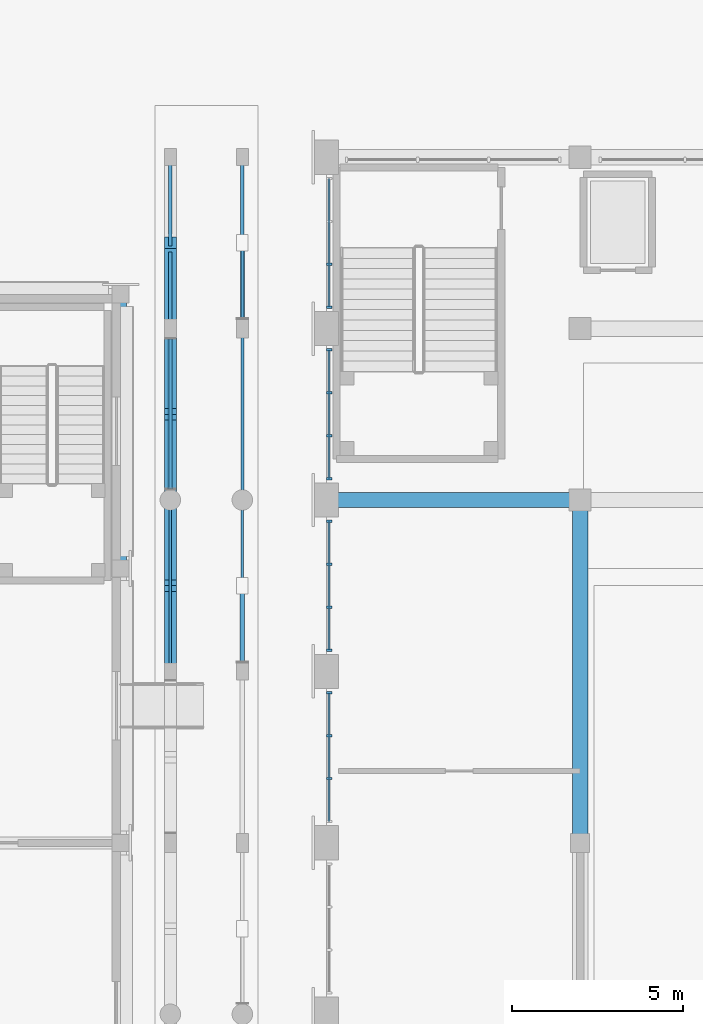
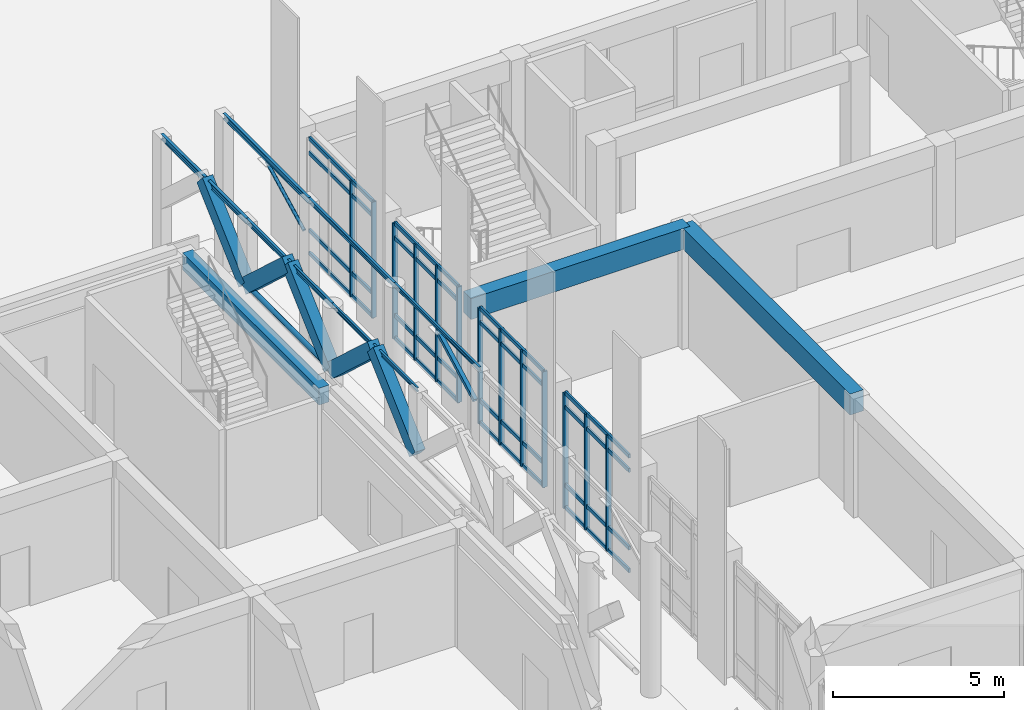
# One storey, part 42 of 135: 32 members, 14 beams, 4 elements without a shape of their own.
"""IFC4 building model written with IfcOpenShell, lengths in metres."""

from ifc_helpers import new_model, si_unit, direction, frame, origin, origin_2d, place, context, subcontext, project, spatial, rectangle, hollow_rectangle, hollow_circle, i_section, extrude, material, material_profile, profile_set, type_object, element, aggregate, save


model = new_model("IFC4")

# Units and contexts
model_context = context("Model", 3, precision=1e-05, world=origin(), true_north=direction((0.0, 1.0)))
body_context = subcontext(model_context, "Body", "Model", "MODEL_VIEW")
ifc_project = project(units=[si_unit("LENGTHUNIT", "METRE"), si_unit("AREAUNIT", "SQUARE_METRE"), si_unit("VOLUMEUNIT", "CUBIC_METRE"), si_unit("PLANEANGLEUNIT", "RADIAN"), si_unit("MASSUNIT", "GRAM", prefix="KILO")], contexts=[model_context])

# Site, building, storey
site_placement = place(None, origin())
site = spatial("IfcSite", under=ifc_project, at=site_placement, CompositionType="ELEMENT")
building_placement = place(site_placement, origin())
building = spatial("IfcBuilding", under=site, at=building_placement, Name="Kiranvali Square Residences", CompositionType="ELEMENT")
storey_placement = place(building_placement, origin())
storey = spatial("IfcBuildingStorey", under=building, at=storey_placement, Name="L00", CompositionType="ELEMENT", Elevation=0.0)

# Beams
ifc_material_1 = material(Name="Concrete M40 (40 MPa)", Category="concrete")
ifc_material_profile_1 = material_profile(ifc_material_1, rectangle(XDim=0.35009765625, YDim=0.5, at=origin_2d()), Name="RC 350x500")
ifc_profile_set_1 = profile_set([ifc_material_profile_1], Name="Concrete M40 (40 MPa)")
beam_type_1 = type_object("IfcBeamType", Name="AR-M40-350x500", PredefinedType="USERDEFINED", material=ifc_profile_set_1)
for number, where, z_axis, x_axis, name in (
    (1, (67.449951171875, 69.0400390625, 3.199951171875), (0.0, 0.736401324674, 0.676544964521), (-1.0, 0.0, 0.0), "Classical pointed Ottoman arch rib ARCH-ARC-GDN-W-06.1"),
    (2, (67.449951171875, 71.5, 5.4599609375), (0.0, 0.736401324674, -0.676544964521), (-1.0, 0.0, 0.0), "Classical pointed Ottoman arch rib ARCH-ARC-GDN-W-06.2"),
    (3, (67.449951171875, 74.0400390625, 3.199951171875), (0.0, 0.736401324674, 0.676544964521), (-1.0, 0.0, 0.0), "Classical pointed Ottoman arch rib ARCH-ARC-GDN-W-07.1"),
    (4, (67.449951171875, 76.5, 5.4599609375), (0.0, 0.736401324674, -0.676544964521), (-1.0, 0.0, 0.0), "Classical pointed Ottoman arch rib ARCH-ARC-GDN-W-07.2"),
    (5, (67.449951171875, 79.0400390625, 3.199951171875), (0.0, 0.736401324674, 0.676544964521), (-1.0, 0.0, 0.0), "Classical pointed Ottoman arch rib ARCH-ARC-GDN-W-08.1"),
):
    element("IfcBeam", number, at=place(storey_placement, frame(where, z_axis=z_axis, x_axis=x_axis)), inside=storey, type_object=beam_type_1, Name=name, ObjectType="ARCH RIB", PredefinedType="USERDEFINED", context=body_context, shape_type="SweptSolid", body=[
        extrude(rectangle(XDim=0.35009765625, YDim=0.5, at=origin_2d()), origin(), (0.0, 0.0, 1.0), 3.340576171875),
    ])
ifc_material_profile_2 = material_profile(ifc_material_1, rectangle(XDim=0.35009765625, YDim=0.60009765625, at=origin_2d()), Name="RC 350x600")
ifc_profile_set_2 = profile_set([ifc_material_profile_2], Name="Concrete M40 (40 MPa)")
beam_type_2 = type_object("IfcBeamType", Name="BM-M40-350x600", PredefinedType="BEAM", material=ifc_profile_set_2)
beam_1_placement = place(storey_placement, frame((66.0, 72.0, 3.97998046875), z_axis=(0.0, 1.0, 0.0), x_axis=(-1.0, 0.0, 0.0)))
element("IfcBeam", 6, at=beam_1_placement, inside=storey, type_object=beam_type_2, Name="L00 beam BM-NR-L00-Y4-2", PredefinedType="BEAM", context=body_context, shape_type="SweptSolid", body=[
    extrude(rectangle(XDim=0.35009765625, YDim=0.60009765625, at=origin_2d()), origin(), (0.0, 0.0, 1.0), 8.0),
])
ifc_material_2 = material(Name="Concrete M45 (45 MPa)", Category="concrete")
ifc_material_profile_3 = material_profile(ifc_material_2, rectangle(XDim=0.449951171875, YDim=0.75, at=origin_2d()), Name="RC 450x750")
ifc_profile_set_3 = profile_set([ifc_material_profile_3], Name="Concrete M45 (45 MPa)")
beam_type_3 = type_object("IfcBeamType", Name="BM-M45-450x750", PredefinedType="BEAM", material=ifc_profile_set_3)
beam_2_placement = place(storey_placement, frame((72.0, 74.0, 3.875), z_axis=(1.0, 0.0, 0.0), x_axis=(0.0, 1.0, 0.0)))
element("IfcBeam", 7, at=beam_2_placement, inside=storey, type_object=beam_type_3, Name="L00 beam BM-CH-GAL-740-1", PredefinedType="BEAM", context=body_context, shape_type="SweptSolid", body=[
    extrude(rectangle(XDim=0.449951171875, YDim=0.75, at=origin_2d()), origin(), (0.0, 0.0, 1.0), 7.39990234375),
])
beam_3_placement = place(storey_placement, frame((79.39990234375, 64.0, 3.875), z_axis=(0.0, 1.0, 0.0), x_axis=(-1.0, 0.0, 0.0)))
element("IfcBeam", 8, at=beam_3_placement, inside=storey, type_object=beam_type_3, Name="L00 beam BM-CH-WLK-2", PredefinedType="BEAM", context=body_context, shape_type="SweptSolid", body=[
    extrude(rectangle(XDim=0.449951171875, YDim=0.75, at=origin_2d()), origin(), (0.0, 0.0, 1.0), 10.0),
])

# Curtain wall, members
ifc_material_3 = material(Name="Anodised bronze aluminium framing", Category="aluminium")
curtain_wall_type = type_object("IfcCurtainWallType", Name="CW-CH-GLZ", PredefinedType="USERDEFINED", material=ifc_material_3)
curtain_wall_1_placement = place(storey_placement, origin())
curtain_wall_1 = element("IfcCurtainWall", 9, at=curtain_wall_1_placement, inside=storey, type_object=curtain_wall_type, Name="Community Hall L00 W glazed arcade bay 5", ObjectType="CURTAIN WALL", PredefinedType="USERDEFINED")
ifc_material_profile_4 = material_profile(ifc_material_3, rectangle(XDim=0.06494140625, YDim=0.159912109375, at=origin_2d()), Name="ALU 65x160")
ifc_profile_set_4 = profile_set([ifc_material_profile_4], Name="Anodised bronze aluminium framing")
member_type_1 = type_object("IfcMemberType", Name="CW-MUL-160", PredefinedType="MULLION", material=ifc_profile_set_4)
member_1_placement = place(storey_placement, frame((72.080078125, 65.873291015625, 0.02001953125), z_axis=(0.0, 0.0, 1.0), x_axis=(0.0, 1.0, 0.0)))
member_1 = element("IfcMember", 10, at=member_1_placement, type_object=member_type_1, Name="CW-CH-L00-W5 vertical mullion 2", PredefinedType="MULLION", context=body_context, shape_type="SweptSolid", body=[
    extrude(rectangle(XDim=0.06494140625, YDim=0.159912109375, at=origin_2d()), origin(), (0.0, 0.0, 1.0), 4.139892578125),
])
member_2_placement = place(storey_placement, frame((72.080078125, 67.126708984375, 0.02001953125), z_axis=(0.0, 0.0, 1.0), x_axis=(0.0, 1.0, 0.0)))
member_2 = element("IfcMember", 11, at=member_2_placement, type_object=member_type_1, Name="CW-CH-L00-W5 vertical mullion 3", PredefinedType="MULLION", context=body_context, shape_type="SweptSolid", body=[
    extrude(rectangle(XDim=0.06494140625, YDim=0.159912109375, at=origin_2d()), origin(), (0.0, 0.0, 1.0), 4.139892578125),
])
member_3_placement = place(storey_placement, frame((72.080078125, 68.3798828125, 0.02001953125), z_axis=(0.0, 0.0, 1.0), x_axis=(0.0, 1.0, 0.0)))
member_3 = element("IfcMember", 12, at=member_3_placement, type_object=member_type_1, Name="CW-CH-L00-W5 vertical mullion 4", PredefinedType="MULLION", context=body_context, shape_type="SweptSolid", body=[
    extrude(rectangle(XDim=0.06494140625, YDim=0.159912109375, at=origin_2d()), origin(), (0.0, 0.0, 1.0), 4.139892578125),
])

curtain_wall_2_placement = place(storey_placement, origin())
curtain_wall_2 = element("IfcCurtainWall", 13, at=curtain_wall_2_placement, inside=storey, type_object=curtain_wall_type, Name="Community Hall L00 W glazed arcade bay 6", ObjectType="CURTAIN WALL", PredefinedType="USERDEFINED")
member_4_placement = place(storey_placement, frame((72.080078125, 69.6201171875, 0.02001953125), z_axis=(0.0, 0.0, 1.0), x_axis=(0.0, 1.0, 0.0)))
member_4 = element("IfcMember", 14, at=member_4_placement, type_object=member_type_1, Name="CW-CH-L00-W6 vertical mullion 1", PredefinedType="MULLION", context=body_context, shape_type="SweptSolid", body=[
    extrude(rectangle(XDim=0.06494140625, YDim=0.159912109375, at=origin_2d()), origin(), (0.0, 0.0, 1.0), 4.139892578125),
])
member_5_placement = place(storey_placement, frame((72.080078125, 70.873291015625, 0.02001953125), z_axis=(0.0, 0.0, 1.0), x_axis=(0.0, 1.0, 0.0)))
member_5 = element("IfcMember", 15, at=member_5_placement, type_object=member_type_1, Name="CW-CH-L00-W6 vertical mullion 2", PredefinedType="MULLION", context=body_context, shape_type="SweptSolid", body=[
    extrude(rectangle(XDim=0.06494140625, YDim=0.159912109375, at=origin_2d()), origin(), (0.0, 0.0, 1.0), 4.139892578125),
])
member_6_placement = place(storey_placement, frame((72.080078125, 72.126708984375, 0.02001953125), z_axis=(0.0, 0.0, 1.0), x_axis=(0.0, 1.0, 0.0)))
member_6 = element("IfcMember", 16, at=member_6_placement, type_object=member_type_1, Name="CW-CH-L00-W6 vertical mullion 3", PredefinedType="MULLION", context=body_context, shape_type="SweptSolid", body=[
    extrude(rectangle(XDim=0.06494140625, YDim=0.159912109375, at=origin_2d()), origin(), (0.0, 0.0, 1.0), 4.139892578125),
])
member_7_placement = place(storey_placement, frame((72.080078125, 73.3798828125, 0.02001953125), z_axis=(0.0, 0.0, 1.0), x_axis=(0.0, 1.0, 0.0)))
member_7 = element("IfcMember", 17, at=member_7_placement, type_object=member_type_1, Name="CW-CH-L00-W6 vertical mullion 4", PredefinedType="MULLION", context=body_context, shape_type="SweptSolid", body=[
    extrude(rectangle(XDim=0.06494140625, YDim=0.159912109375, at=origin_2d()), origin(), (0.0, 0.0, 1.0), 4.139892578125),
])

curtain_wall_3_placement = place(storey_placement, origin())
curtain_wall_3 = element("IfcCurtainWall", 18, at=curtain_wall_3_placement, inside=storey, type_object=curtain_wall_type, Name="Community Hall L00 W glazed arcade bay 7", ObjectType="CURTAIN WALL", PredefinedType="USERDEFINED")
member_8_placement = place(storey_placement, frame((72.080078125, 74.6201171875, 0.02001953125), z_axis=(0.0, 0.0, 1.0), x_axis=(0.0, 1.0, 0.0)))
member_8 = element("IfcMember", 19, at=member_8_placement, type_object=member_type_1, Name="CW-CH-L00-W7 vertical mullion 1", PredefinedType="MULLION", context=body_context, shape_type="SweptSolid", body=[
    extrude(rectangle(XDim=0.06494140625, YDim=0.159912109375, at=origin_2d()), origin(), (0.0, 0.0, 1.0), 4.139892578125),
])
member_9_placement = place(storey_placement, frame((72.080078125, 75.873291015625, 0.02001953125), z_axis=(0.0, 0.0, 1.0), x_axis=(0.0, 1.0, 0.0)))
member_9 = element("IfcMember", 20, at=member_9_placement, type_object=member_type_1, Name="CW-CH-L00-W7 vertical mullion 2", PredefinedType="MULLION", context=body_context, shape_type="SweptSolid", body=[
    extrude(rectangle(XDim=0.06494140625, YDim=0.159912109375, at=origin_2d()), origin(), (0.0, 0.0, 1.0), 4.139892578125),
])
member_10_placement = place(storey_placement, frame((72.080078125, 77.126708984375, 0.02001953125), z_axis=(0.0, 0.0, 1.0), x_axis=(0.0, 1.0, 0.0)))
member_10 = element("IfcMember", 21, at=member_10_placement, type_object=member_type_1, Name="CW-CH-L00-W7 vertical mullion 3", PredefinedType="MULLION", context=body_context, shape_type="SweptSolid", body=[
    extrude(rectangle(XDim=0.06494140625, YDim=0.159912109375, at=origin_2d()), origin(), (0.0, 0.0, 1.0), 4.139892578125),
])
member_11_placement = place(storey_placement, frame((72.080078125, 78.3798828125, 0.02001953125), z_axis=(0.0, 0.0, 1.0), x_axis=(0.0, 1.0, 0.0)))
member_11 = element("IfcMember", 22, at=member_11_placement, type_object=member_type_1, Name="CW-CH-L00-W7 vertical mullion 4", PredefinedType="MULLION", context=body_context, shape_type="SweptSolid", body=[
    extrude(rectangle(XDim=0.06494140625, YDim=0.159912109375, at=origin_2d()), origin(), (0.0, 0.0, 1.0), 4.139892578125),
])

curtain_wall_4_placement = place(storey_placement, origin())
curtain_wall_4 = element("IfcCurtainWall", 23, at=curtain_wall_4_placement, inside=storey, type_object=curtain_wall_type, Name="Community Hall L00 W glazed arcade bay 8", ObjectType="CURTAIN WALL", PredefinedType="USERDEFINED")
member_12_placement = place(storey_placement, frame((72.080078125, 79.6201171875, 0.02001953125), z_axis=(0.0, 0.0, 1.0), x_axis=(0.0, 1.0, 0.0)))
member_12 = element("IfcMember", 24, at=member_12_placement, type_object=member_type_1, Name="CW-CH-L00-W8 vertical mullion 1", PredefinedType="MULLION", context=body_context, shape_type="SweptSolid", body=[
    extrude(rectangle(XDim=0.06494140625, YDim=0.159912109375, at=origin_2d()), origin(), (0.0, 0.0, 1.0), 4.139892578125),
])
member_13_placement = place(storey_placement, frame((72.080078125, 80.873291015625, 0.02001953125), z_axis=(0.0, 0.0, 1.0), x_axis=(0.0, 1.0, 0.0)))
member_13 = element("IfcMember", 25, at=member_13_placement, type_object=member_type_1, Name="CW-CH-L00-W8 vertical mullion 2", PredefinedType="MULLION", context=body_context, shape_type="SweptSolid", body=[
    extrude(rectangle(XDim=0.06494140625, YDim=0.159912109375, at=origin_2d()), origin(), (0.0, 0.0, 1.0), 4.139892578125),
])

# Member
ifc_material_profile_5 = material_profile(ifc_material_3, rectangle(XDim=0.06494140625, YDim=0.139892578125, at=origin_2d()), Name="ALU 65x140")
ifc_profile_set_5 = profile_set([ifc_material_profile_5], Name="Anodised bronze aluminium framing")
member_type_2 = type_object("IfcMemberType", Name="CW-TRN-140", PredefinedType="MULLION", material=ifc_profile_set_5)
member_14_placement = place(storey_placement, frame((72.080078125, 64.6298828125, 0.0400390625), z_axis=(0.0, 1.0, 0.0), x_axis=(-1.0, 0.0, 0.0)))
member_14 = element("IfcMember", 26, at=member_14_placement, type_object=member_type_2, Name="CW-CH-L00-W5 horizontal transom 1", PredefinedType="MULLION", context=body_context, shape_type="SweptSolid", body=[
    extrude(rectangle(XDim=0.06494140625, YDim=0.139892578125, at=origin_2d()), origin(), (0.0, 0.0, 1.0), 3.740234375),
])

member_15_placement = place(storey_placement, frame((72.080078125, 64.6298828125, 0.85009765625), z_axis=(0.0, 1.0, 0.0), x_axis=(-1.0, 0.0, 0.0)))
member_15 = element("IfcMember", 27, at=member_15_placement, type_object=member_type_2, Name="CW-CH-L00-W5 horizontal transom 2", PredefinedType="MULLION", context=body_context, shape_type="SweptSolid", body=[
    extrude(rectangle(XDim=0.06494140625, YDim=0.139892578125, at=origin_2d()), origin(), (0.0, 0.0, 1.0), 3.740234375),
])

member_16_placement = place(storey_placement, frame((72.080078125, 64.6298828125, 3.6298828125), z_axis=(0.0, 1.0, 0.0), x_axis=(-1.0, 0.0, 0.0)))
member_16 = element("IfcMember", 28, at=member_16_placement, type_object=member_type_2, Name="CW-CH-L00-W5 horizontal transom 3", PredefinedType="MULLION", context=body_context, shape_type="SweptSolid", body=[
    extrude(rectangle(XDim=0.06494140625, YDim=0.139892578125, at=origin_2d()), origin(), (0.0, 0.0, 1.0), 3.740234375),
])

member_17_placement = place(storey_placement, frame((72.080078125, 64.6298828125, 4.139892578125), z_axis=(0.0, 1.0, 0.0), x_axis=(-1.0, 0.0, 0.0)))
member_17 = element("IfcMember", 29, at=member_17_placement, type_object=member_type_2, Name="CW-CH-L00-W5 horizontal transom 4", PredefinedType="MULLION", context=body_context, shape_type="SweptSolid", body=[
    extrude(rectangle(XDim=0.06494140625, YDim=0.139892578125, at=origin_2d()), origin(), (0.0, 0.0, 1.0), 3.740234375),
])

aggregate(curtain_wall_1, [member_1, member_2, member_3, member_14, member_15, member_16, member_17])

member_18_placement = place(storey_placement, frame((72.080078125, 69.6298828125, 0.0400390625), z_axis=(0.0, 1.0, 0.0), x_axis=(-1.0, 0.0, 0.0)))
member_18 = element("IfcMember", 30, at=member_18_placement, type_object=member_type_2, Name="CW-CH-L00-W6 horizontal transom 1", PredefinedType="MULLION", context=body_context, shape_type="SweptSolid", body=[
    extrude(rectangle(XDim=0.06494140625, YDim=0.139892578125, at=origin_2d()), origin(), (0.0, 0.0, 1.0), 3.740234375),
])

member_19_placement = place(storey_placement, frame((72.080078125, 69.6298828125, 0.85009765625), z_axis=(0.0, 1.0, 0.0), x_axis=(-1.0, 0.0, 0.0)))
member_19 = element("IfcMember", 31, at=member_19_placement, type_object=member_type_2, Name="CW-CH-L00-W6 horizontal transom 2", PredefinedType="MULLION", context=body_context, shape_type="SweptSolid", body=[
    extrude(rectangle(XDim=0.06494140625, YDim=0.139892578125, at=origin_2d()), origin(), (0.0, 0.0, 1.0), 3.740234375),
])

member_20_placement = place(storey_placement, frame((72.080078125, 69.6298828125, 3.6298828125), z_axis=(0.0, 1.0, 0.0), x_axis=(-1.0, 0.0, 0.0)))
member_20 = element("IfcMember", 32, at=member_20_placement, type_object=member_type_2, Name="CW-CH-L00-W6 horizontal transom 3", PredefinedType="MULLION", context=body_context, shape_type="SweptSolid", body=[
    extrude(rectangle(XDim=0.06494140625, YDim=0.139892578125, at=origin_2d()), origin(), (0.0, 0.0, 1.0), 3.740234375),
])

member_21_placement = place(storey_placement, frame((72.080078125, 69.6298828125, 4.139892578125), z_axis=(0.0, 1.0, 0.0), x_axis=(-1.0, 0.0, 0.0)))
member_21 = element("IfcMember", 33, at=member_21_placement, type_object=member_type_2, Name="CW-CH-L00-W6 horizontal transom 4", PredefinedType="MULLION", context=body_context, shape_type="SweptSolid", body=[
    extrude(rectangle(XDim=0.06494140625, YDim=0.139892578125, at=origin_2d()), origin(), (0.0, 0.0, 1.0), 3.740234375),
])

aggregate(curtain_wall_2, [member_4, member_5, member_6, member_7, member_18, member_19, member_20, member_21])

member_22_placement = place(storey_placement, frame((72.080078125, 74.6298828125, 0.0400390625), z_axis=(0.0, 1.0, 0.0), x_axis=(-1.0, 0.0, 0.0)))
member_22 = element("IfcMember", 34, at=member_22_placement, type_object=member_type_2, Name="CW-CH-L00-W7 horizontal transom 1", PredefinedType="MULLION", context=body_context, shape_type="SweptSolid", body=[
    extrude(rectangle(XDim=0.06494140625, YDim=0.139892578125, at=origin_2d()), origin(), (0.0, 0.0, 1.0), 3.740234375),
])

member_23_placement = place(storey_placement, frame((72.080078125, 74.6298828125, 0.85009765625), z_axis=(0.0, 1.0, 0.0), x_axis=(-1.0, 0.0, 0.0)))
member_23 = element("IfcMember", 35, at=member_23_placement, type_object=member_type_2, Name="CW-CH-L00-W7 horizontal transom 2", PredefinedType="MULLION", context=body_context, shape_type="SweptSolid", body=[
    extrude(rectangle(XDim=0.06494140625, YDim=0.139892578125, at=origin_2d()), origin(), (0.0, 0.0, 1.0), 3.740234375),
])

member_24_placement = place(storey_placement, frame((72.080078125, 74.6298828125, 3.6298828125), z_axis=(0.0, 1.0, 0.0), x_axis=(-1.0, 0.0, 0.0)))
member_24 = element("IfcMember", 36, at=member_24_placement, type_object=member_type_2, Name="CW-CH-L00-W7 horizontal transom 3", PredefinedType="MULLION", context=body_context, shape_type="SweptSolid", body=[
    extrude(rectangle(XDim=0.06494140625, YDim=0.139892578125, at=origin_2d()), origin(), (0.0, 0.0, 1.0), 3.740234375),
])

member_25_placement = place(storey_placement, frame((72.080078125, 74.6298828125, 4.139892578125), z_axis=(0.0, 1.0, 0.0), x_axis=(-1.0, 0.0, 0.0)))
member_25 = element("IfcMember", 37, at=member_25_placement, type_object=member_type_2, Name="CW-CH-L00-W7 horizontal transom 4", PredefinedType="MULLION", context=body_context, shape_type="SweptSolid", body=[
    extrude(rectangle(XDim=0.06494140625, YDim=0.139892578125, at=origin_2d()), origin(), (0.0, 0.0, 1.0), 3.740234375),
])

aggregate(curtain_wall_3, [member_8, member_9, member_10, member_11, member_22, member_23, member_24, member_25])

member_26_placement = place(storey_placement, frame((72.080078125, 79.6298828125, 0.0400390625), z_axis=(0.0, 1.0, 0.0), x_axis=(-1.0, 0.0, 0.0)))
member_26 = element("IfcMember", 38, at=member_26_placement, type_object=member_type_2, Name="CW-CH-L00-W8 horizontal transom 1", PredefinedType="MULLION", context=body_context, shape_type="SweptSolid", body=[
    extrude(rectangle(XDim=0.06494140625, YDim=0.139892578125, at=origin_2d()), origin(), (0.0, 0.0, 1.0), 3.740234375),
])

member_27_placement = place(storey_placement, frame((72.080078125, 79.6298828125, 0.85009765625), z_axis=(0.0, 1.0, 0.0), x_axis=(-1.0, 0.0, 0.0)))
member_27 = element("IfcMember", 39, at=member_27_placement, type_object=member_type_2, Name="CW-CH-L00-W8 horizontal transom 2", PredefinedType="MULLION", context=body_context, shape_type="SweptSolid", body=[
    extrude(rectangle(XDim=0.06494140625, YDim=0.139892578125, at=origin_2d()), origin(), (0.0, 0.0, 1.0), 3.740234375),
])

member_28_placement = place(storey_placement, frame((72.080078125, 79.6298828125, 3.6298828125), z_axis=(0.0, 1.0, 0.0), x_axis=(-1.0, 0.0, 0.0)))
member_28 = element("IfcMember", 40, at=member_28_placement, type_object=member_type_2, Name="CW-CH-L00-W8 horizontal transom 3", PredefinedType="MULLION", context=body_context, shape_type="SweptSolid", body=[
    extrude(rectangle(XDim=0.06494140625, YDim=0.139892578125, at=origin_2d()), origin(), (0.0, 0.0, 1.0), 3.740234375),
])

member_29_placement = place(storey_placement, frame((72.080078125, 79.6298828125, 4.139892578125), z_axis=(0.0, 1.0, 0.0), x_axis=(-1.0, 0.0, 0.0)))
member_29 = element("IfcMember", 41, at=member_29_placement, type_object=member_type_2, Name="CW-CH-L00-W8 horizontal transom 4", PredefinedType="MULLION", context=body_context, shape_type="SweptSolid", body=[
    extrude(rectangle(XDim=0.06494140625, YDim=0.139892578125, at=origin_2d()), origin(), (0.0, 0.0, 1.0), 3.740234375),
])

aggregate(curtain_wall_4, [member_12, member_13, member_26, member_27, member_28, member_29])

# Members
ifc_material_4 = material(Name="Structural steel E350", Category="steel")
ifc_material_profile_6 = material_profile(ifc_material_4, hollow_circle(Radius=0.05712890625, WallThickness=0.00537109375, at=origin_2d()), Name="CHS 114.3x5.4")
ifc_profile_set_6 = profile_set([ifc_material_profile_6], Name="Structural steel E350")
member_type_3 = type_object("IfcMemberType", Name="MEM-CHS114", PredefinedType="BRACE", material=ifc_profile_set_6)
member_30_placement = place(storey_placement, frame((69.550048828125, 79.31103515625, 4.199951171875), z_axis=(0.0, 0.889573556007, 0.45679195314), x_axis=(-1.0, 0.0, 0.0)))
element("IfcMember", 42, at=member_30_placement, inside=storey, type_object=member_type_3, Name="Colonnade steel knee brace ARC-GDN-W-8", PredefinedType="BRACE", context=body_context, shape_type="SweptSolid", body=[
    extrude(hollow_circle(Radius=0.05712890625, WallThickness=0.00537109375, at=origin_2d()), origin(), (0.0, 0.0, 1.0), 2.460693359375),
])
ifc_material_profile_7 = material_profile(ifc_material_4, hollow_circle(Radius=0.08251953125, WallThickness=0.00537109375, at=origin_2d()), Name="CHS 165.1x5.4")
ifc_profile_set_7 = profile_set([ifc_material_profile_7], Name="Structural steel E350")
member_type_4 = type_object("IfcMemberType", Name="MEM-CHS165", PredefinedType="USERDEFINED", material=ifc_profile_set_7)
member_31_placement = place(storey_placement, frame((67.449951171875, 74.323974609375, 3.14990234375), z_axis=(0.0, 1.0, 0.0), x_axis=(-1.0, 0.0, 0.0)))
element("IfcMember", 43, at=member_31_placement, inside=storey, type_object=member_type_4, Name="Ottoman arch springing tie rod ARC-GDN-W-7", ObjectType="TIE ROD", PredefinedType="USERDEFINED", context=body_context, shape_type="SweptSolid", body=[
    extrude(hollow_circle(Radius=0.08251953125, WallThickness=0.00537109375, at=origin_2d()), origin(), (0.0, 0.0, 1.0), 4.376953125),
])
ifc_material_profile_8 = material_profile(ifc_material_4, hollow_rectangle(XDim=0.132080078125, YDim=0.132080078125, WallThickness=0.00537109375, at=origin_2d()), Name="SHS 132x132x5.4")
ifc_profile_set_8 = profile_set([ifc_material_profile_8], Name="Structural steel E350")
member_type_5 = type_object("IfcMemberType", Name="MEM-SHS132", PredefinedType="BRACE", material=ifc_profile_set_8)
member_32_placement = place(storey_placement, frame((69.550048828125, 69.285888671875, 4.199951171875), z_axis=(0.0, 0.883474931249, 0.468478436915), x_axis=(-1.0, 0.0, 0.0)))
element("IfcMember", 44, at=member_32_placement, inside=storey, type_object=member_type_5, Name="Colonnade steel knee brace ARC-GDN-W-6", PredefinedType="BRACE", context=body_context, shape_type="SweptSolid", body=[
    extrude(hollow_rectangle(XDim=0.132080078125, YDim=0.132080078125, WallThickness=0.00537109375, at=origin_2d()), origin(), (0.0, 0.0, 1.0), 2.506103515625),
])

# Beams
ifc_material_profile_9 = material_profile(ifc_material_4, i_section(OverallWidth=0.074951171875, OverallDepth=0.14990234375, WebThickness=0.0048828125, FlangeThickness=0.008056640625, at=origin_2d()), Name="ISMB 150")
ifc_profile_set_9 = profile_set([ifc_material_profile_9], Name="Structural steel E350")
beam_type_4 = type_object("IfcBeamType", Name="SBM-ISMB150", PredefinedType="JOIST", material=ifc_profile_set_9)
for number, where, z_axis, x_axis, name in (
    (45, (67.449951171875, 69.0, 5.485107421875), (0.0, 1.0, 0.0), (-1.0, 0.0, 0.0), "Colonnade entablature steel beam ARC-GDN-W-6"),
    (46, (69.550048828125, 69.0, 5.485107421875), (0.0, 1.0, 0.0), (-1.0, 0.0, 0.0), "Colonnade inner entablature steel beam ARC-GDN-W-6B"),
):
    element("IfcBeam", number, at=place(storey_placement, frame(where, z_axis=z_axis, x_axis=x_axis)), inside=storey, type_object=beam_type_4, Name=name, PredefinedType="JOIST", context=body_context, shape_type="SweptSolid", body=[
        extrude(i_section(OverallWidth=0.074951171875, OverallDepth=0.14990234375, WebThickness=0.0048828125, FlangeThickness=0.008056640625, at=origin_2d()), origin(), (0.0, 0.0, 1.0), 5.0),
    ])
ifc_material_profile_10 = material_profile(ifc_material_4, i_section(OverallWidth=0.0849609375, OverallDepth=0.175048828125, WebThickness=0.005859375, FlangeThickness=0.009033203125, at=origin_2d()), Name="ISMB 175")
ifc_profile_set_10 = profile_set([ifc_material_profile_10], Name="Structural steel E350")
beam_type_5 = type_object("IfcBeamType", Name="SBM-ISMB175", PredefinedType="JOIST", material=ifc_profile_set_10)
for number, where, z_axis, x_axis, name in (
    (47, (67.449951171875, 74.0, 5.472412109375), (0.0, 1.0, 0.0), (-1.0, 0.0, 0.0), "Colonnade entablature steel beam ARC-GDN-W-7"),
    (48, (69.550048828125, 74.0, 5.472412109375), (0.0, 1.0, 0.0), (-1.0, 0.0, 0.0), "Colonnade inner entablature steel beam ARC-GDN-W-7B"),
):
    element("IfcBeam", number, at=place(storey_placement, frame(where, z_axis=z_axis, x_axis=x_axis)), inside=storey, type_object=beam_type_5, Name=name, PredefinedType="JOIST", context=body_context, shape_type="SweptSolid", body=[
        extrude(i_section(OverallWidth=0.0849609375, OverallDepth=0.175048828125, WebThickness=0.005859375, FlangeThickness=0.009033203125, at=origin_2d()), origin(), (0.0, 0.0, 1.0), 5.0),
    ])
ifc_material_profile_11 = material_profile(ifc_material_4, i_section(OverallWidth=0.10009765625, OverallDepth=0.199951171875, WebThickness=0.005615234375, FlangeThickness=0.0107421875, at=origin_2d()), Name="ISMB 200")
ifc_profile_set_11 = profile_set([ifc_material_profile_11], Name="Structural steel E350")
beam_type_6 = type_object("IfcBeamType", Name="SBM-ISMB200", PredefinedType="JOIST", material=ifc_profile_set_11)
for number, where, z_axis, x_axis, name in (
    (49, (67.449951171875, 79.0, 5.4599609375), (0.0, 1.0, 0.0), (-1.0, 0.0, 0.0), "Colonnade entablature steel beam ARC-GDN-W-8"),
    (50, (69.550048828125, 79.0, 5.4599609375), (0.0, 1.0, 0.0), (-1.0, 0.0, 0.0), "Colonnade inner entablature steel beam ARC-GDN-W-8B"),
):
    element("IfcBeam", number, at=place(storey_placement, frame(where, z_axis=z_axis, x_axis=x_axis)), inside=storey, type_object=beam_type_6, Name=name, PredefinedType="JOIST", context=body_context, shape_type="SweptSolid", body=[
        extrude(i_section(OverallWidth=0.10009765625, OverallDepth=0.199951171875, WebThickness=0.005615234375, FlangeThickness=0.0107421875, at=origin_2d()), origin(), (0.0, 0.0, 1.0), 5.0),
    ])

save(model, "model.ifc")
